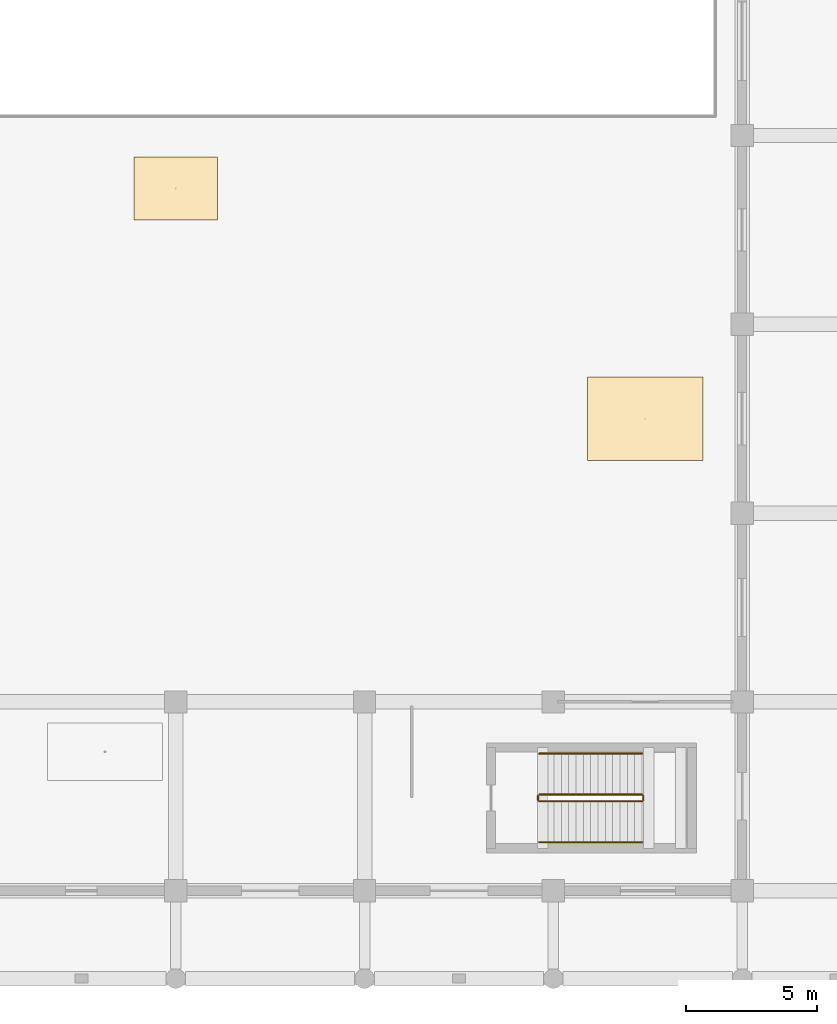
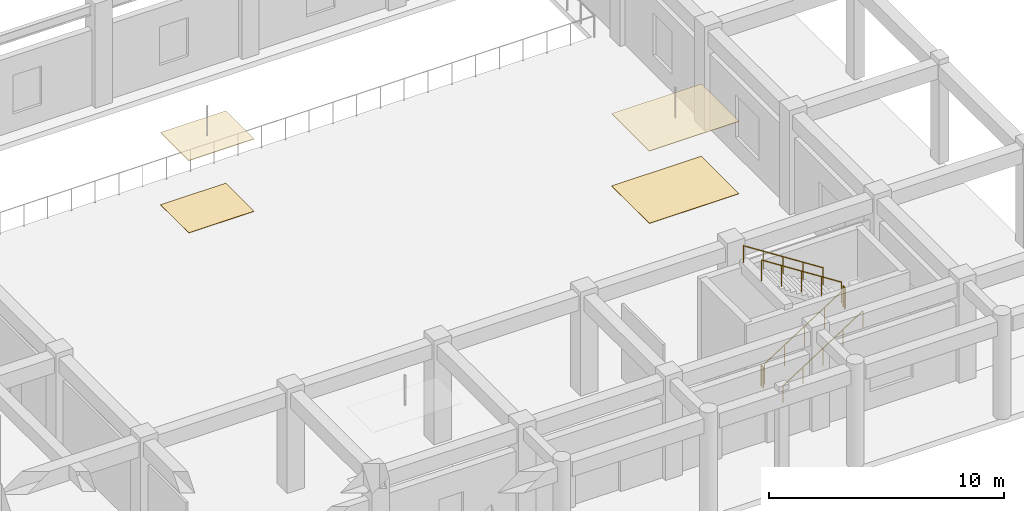
# One storey, part 55 of 56: 6 railings, 4 coverings.
"""IFC4 building model written with IfcOpenShell, lengths in metres."""

from ifc_helpers import new_model, si_unit, direction, frame, origin, origin_2d, place, context, subcontext, project, spatial, rectangle, circle, extrude, material, layer, layer_set, type_object, element, save


model = new_model("IFC4")

# Units and contexts
model_context = context("Model", 3, precision=1e-05, world=origin(), true_north=direction((0.0, 1.0)))
body_context = subcontext(model_context, "Body", "Model", "MODEL_VIEW")
ifc_project = project(units=[si_unit("LENGTHUNIT", "METRE"), si_unit("AREAUNIT", "SQUARE_METRE"), si_unit("VOLUMEUNIT", "CUBIC_METRE"), si_unit("PLANEANGLEUNIT", "RADIAN"), si_unit("MASSUNIT", "GRAM", prefix="KILO")], contexts=[model_context])

# Site, building, storey
site_placement = place(None, origin())
site = spatial("IfcSite", under=ifc_project, at=site_placement, CompositionType="ELEMENT")
building_placement = place(site_placement, origin())
building = spatial("IfcBuilding", under=site, at=building_placement, Name="Kazehaya Institute of Natural Sciences", CompositionType="ELEMENT")
storey_placement = place(building_placement, origin())
storey = spatial("IfcBuildingStorey", under=building, at=storey_placement, Name="L00", CompositionType="ELEMENT", Elevation=0.0)

# Coverings
ifc_material_1 = material(Name="Mineral-fibre acoustic ceiling tile")
ifc_layer_1 = layer(ifc_material_1, 0.02490234375, Name="Mineral-fibre acoustic ceiling tile")
ifc_layer_set_1 = layer_set([ifc_layer_1], Name="Mineral-fibre acoustic ceiling tile")
covering_type_1 = type_object("IfcCoveringType", Name="COV-CEIL-AC", PredefinedType="CEILING", material=ifc_layer_set_1)
covering_1_placement = place(storey_placement, frame((141.0, 33.574462890625, 3.74755859375), z_axis=(0.0, 0.0, 1.0), x_axis=(1.0, 0.0, 0.0)))
element("IfcCovering", 1, at=covering_1_placement, inside=storey, type_object=covering_type_1, Name="L00 Lecture Theatre Auditorium ceiling 7", PredefinedType="CEILING", context=body_context, shape_type="SweptSolid", body=[
    extrude(rectangle(XDim=3.199951171875, YDim=2.39990234375, at=origin_2d()), origin(), (0.0, 0.0, 1.0), 0.02490234375),
])
covering_2_placement = place(storey_placement, frame((158.89990234375, 24.800048828125, 3.74755859375), z_axis=(0.0, 0.0, 1.0), x_axis=(1.0, 0.0, 0.0)))
element("IfcCovering", 2, at=covering_2_placement, inside=storey, type_object=covering_type_1, Name="L00 Seminar Room ceiling 9", PredefinedType="CEILING", context=body_context, shape_type="SweptSolid", body=[
    extrude(rectangle(XDim=4.39990234375, YDim=3.199951171875, at=origin_2d()), origin(), (0.0, 0.0, 1.0), 0.02490234375),
])
ifc_material_2 = material(Name="Polished Sawara stone terrazzo flooring", Category="masonry")
ifc_layer_2 = layer(ifc_material_2, 0.02001953125, Name="Polished Sawara stone terrazzo flooring", Category="masonry")
ifc_layer_set_2 = layer_set([ifc_layer_2], Name="Polished Sawara stone terrazzo flooring")
covering_type_2 = type_object("IfcCoveringType", Name="COV-FLR-TRZ", PredefinedType="FLOORING", material=ifc_layer_set_2)
covering_3_placement = place(storey_placement, frame((141.0, 33.574462890625, 0.0), z_axis=(0.0, 0.0, 1.0), x_axis=(1.0, 0.0, 0.0)))
element("IfcCovering", 3, at=covering_3_placement, inside=storey, type_object=covering_type_2, Name="L00 Lecture Theatre Auditorium finish flooring 7", PredefinedType="FLOORING", context=body_context, shape_type="SweptSolid", body=[
    extrude(rectangle(XDim=3.199951171875, YDim=2.39990234375, at=origin_2d()), origin(), (0.0, 0.0, 1.0), 0.02001953125),
])
covering_4_placement = place(storey_placement, frame((158.89990234375, 24.800048828125, 0.0), z_axis=(0.0, 0.0, 1.0), x_axis=(1.0, 0.0, 0.0)))
element("IfcCovering", 4, at=covering_4_placement, inside=storey, type_object=covering_type_2, Name="L00 Seminar Room finish flooring 9", PredefinedType="FLOORING", context=body_context, shape_type="SweptSolid", body=[
    extrude(rectangle(XDim=4.39990234375, YDim=3.199951171875, at=origin_2d()), origin(), (0.0, 0.0, 1.0), 0.02001953125),
])

# Railings
ifc_material_3 = material(Name="Structural steel SN490B", Category="steel")
railing_type_1 = type_object("IfcRailingType", Name="RL-STAIR-GRD", PredefinedType="GUARDRAIL", material=ifc_material_3)
railing_1_placement = place(storey_placement, frame((154.860107421875, 10.2099609375, 0.179931640625)))
element("IfcRailing", 5, at=railing_1_placement, inside=storey, type_object=railing_type_1, Name="L00 ST-5 stair guard 1", PredefinedType="GUARDRAIL", context=body_context, shape_type="SweptSolid", body=[
    extrude(circle(Radius=0.02392578125, at=origin_2d()), frame((0.0, 0.0, 1.076171875), z_axis=(0.841171666519, 0.0, 0.540768182723), x_axis=(0.0, 1.0, 0.0)), (0.0, 0.0, 1.0), 4.66015625),
    extrude(circle(Radius=0.02099609375, at=origin_2d()), origin(), (0.0, 0.0, 1.0), 1.052001953125),
    extrude(circle(Radius=0.02099609375, at=origin_2d()), frame((0.97998046875, 0.0, 0.6298828125)), (0.0, 0.0, 1.0), 1.052001953125),
    extrude(circle(Radius=0.02099609375, at=origin_2d()), frame((1.9599609375, 0.0, 1.260009765625)), (0.0, 0.0, 1.0), 1.052001953125),
    extrude(circle(Radius=0.02099609375, at=origin_2d()), frame((2.93994140625, 0.0, 1.89013671875)), (0.0, 0.0, 1.0), 1.052001953125),
    extrude(circle(Radius=0.02099609375, at=origin_2d()), frame((3.919921875, 0.0, 2.52001953125)), (0.0, 0.0, 1.0), 1.052001953125),
])
railing_2_placement = place(storey_placement, frame((158.830078125, 10.260009765625, 2.699951171875)))
element("IfcRailing", 6, at=railing_2_placement, inside=storey, type_object=railing_type_1, Name="L00 ST-5 stair guard 2", PredefinedType="GUARDRAIL", context=body_context, shape_type="SweptSolid", body=[
    extrude(circle(Radius=0.02392578125, at=origin_2d()), frame((0.0, 0.0, 1.076171875), z_axis=(0.0, 1.0, 0.0), x_axis=(-1.0, 0.0, 0.0)), (0.0, 0.0, 1.0), 0.159912109375),
    extrude(circle(Radius=0.02099609375, at=origin_2d()), origin(), (0.0, 0.0, 1.0), 1.052001953125),
    extrude(circle(Radius=0.02099609375, at=origin_2d()), frame((0.0, 0.159912109375, 0.0)), (0.0, 0.0, 1.0), 1.052001953125),
])
railing_3_placement = place(storey_placement, frame((158.780029296875, 10.469970703125, 2.8798828125)))
element("IfcRailing", 7, at=railing_3_placement, inside=storey, type_object=railing_type_1, Name="L00 ST-5 stair guard 3", PredefinedType="GUARDRAIL", context=body_context, shape_type="SweptSolid", body=[
    extrude(circle(Radius=0.02392578125, at=origin_2d()), frame((0.0, 0.0, 1.076171875), z_axis=(-0.841171666519, 0.0, 0.540768182723), x_axis=(0.0, -1.0, 0.0)), (0.0, 0.0, 1.0), 4.66015625),
    extrude(circle(Radius=0.02099609375, at=origin_2d()), origin(), (0.0, 0.0, 1.0), 1.052001953125),
    extrude(circle(Radius=0.02099609375, at=origin_2d()), frame((-0.97998046875, 0.0, 0.6298828125)), (0.0, 0.0, 1.0), 1.052001953125),
    extrude(circle(Radius=0.02099609375, at=origin_2d()), frame((-1.9599609375, 0.0, 1.260009765625)), (0.0, 0.0, 1.0), 1.052001953125),
    extrude(circle(Radius=0.02099609375, at=origin_2d()), frame((-2.93994140625, 0.0, 1.89013671875)), (0.0, 0.0, 1.0), 1.052001953125),
    extrude(circle(Radius=0.02099609375, at=origin_2d()), frame((-3.919921875, 0.0, 2.52001953125)), (0.0, 0.0, 1.0), 1.052001953125),
])
railing_4_placement = place(storey_placement, frame((154.81005859375, 10.260009765625, 0.0)))
element("IfcRailing", 8, at=railing_4_placement, inside=storey, type_object=railing_type_1, Name="L00 ST-5 stair guard 4", PredefinedType="GUARDRAIL", context=body_context, shape_type="SweptSolid", body=[
    extrude(circle(Radius=0.02392578125, at=origin_2d()), frame((0.0, 0.0, 1.076171875), z_axis=(0.0, 1.0, 0.0), x_axis=(-1.0, 0.0, 0.0)), (0.0, 0.0, 1.0), 0.159912109375),
    extrude(circle(Radius=0.02099609375, at=origin_2d()), origin(), (0.0, 0.0, 1.0), 1.052001953125),
    extrude(circle(Radius=0.02099609375, at=origin_2d()), frame((0.0, 0.159912109375, 0.0)), (0.0, 0.0, 1.0), 1.052001953125),
])
ifc_material_4 = material(Name="Brushed stainless steel handrail", Category="steel")
railing_type_2 = type_object("IfcRailingType", Name="RL-STAIR-HND", PredefinedType="HANDRAIL", material=ifc_material_4)
railing_5_placement = place(storey_placement, frame((154.860107421875, 8.64990234375, 0.179931640625)))
element("IfcRailing", 9, at=railing_5_placement, inside=storey, type_object=railing_type_2, Name="L00 ST-5 stair handrail 1", PredefinedType="HANDRAIL", context=body_context, shape_type="SweptSolid", body=[
    extrude(circle(Radius=0.02392578125, at=origin_2d()), frame((0.0, 0.0, 0.8759765625), z_axis=(0.841171666519, 0.0, 0.540768182723), x_axis=(0.0, 1.0, 0.0)), (0.0, 0.0, 1.0), 4.66015625),
    extrude(circle(Radius=0.02099609375, at=origin_2d()), origin(), (0.0, 0.0, 1.0), 0.851806640625),
    extrude(circle(Radius=0.02099609375, at=origin_2d()), frame((0.97998046875, 0.0, 0.6298828125)), (0.0, 0.0, 1.0), 0.851806640625),
    extrude(circle(Radius=0.02099609375, at=origin_2d()), frame((1.9599609375, 0.0, 1.260009765625)), (0.0, 0.0, 1.0), 0.851806640625),
    extrude(circle(Radius=0.02099609375, at=origin_2d()), frame((2.93994140625, 0.0, 1.89013671875)), (0.0, 0.0, 1.0), 0.851806640625),
    extrude(circle(Radius=0.02099609375, at=origin_2d()), frame((3.919921875, 0.0, 2.52001953125)), (0.0, 0.0, 1.0), 0.851806640625),
])
railing_6_placement = place(storey_placement, frame((158.780029296875, 12.030029296875, 2.8798828125)))
element("IfcRailing", 10, at=railing_6_placement, inside=storey, type_object=railing_type_2, Name="L00 ST-5 stair handrail 2", PredefinedType="HANDRAIL", context=body_context, shape_type="SweptSolid", body=[
    extrude(circle(Radius=0.02392578125, at=origin_2d()), frame((0.0, 0.0, 0.8759765625), z_axis=(-0.841171666519, 0.0, 0.540768182723), x_axis=(0.0, -1.0, 0.0)), (0.0, 0.0, 1.0), 4.66015625),
    extrude(circle(Radius=0.02099609375, at=origin_2d()), origin(), (0.0, 0.0, 1.0), 0.851806640625),
    extrude(circle(Radius=0.02099609375, at=origin_2d()), frame((-0.97998046875, 0.0, 0.6298828125)), (0.0, 0.0, 1.0), 0.851806640625),
    extrude(circle(Radius=0.02099609375, at=origin_2d()), frame((-1.9599609375, 0.0, 1.260009765625)), (0.0, 0.0, 1.0), 0.851806640625),
    extrude(circle(Radius=0.02099609375, at=origin_2d()), frame((-2.93994140625, 0.0, 1.89013671875)), (0.0, 0.0, 1.0), 0.851806640625),
    extrude(circle(Radius=0.02099609375, at=origin_2d()), frame((-3.919921875, 0.0, 2.52001953125)), (0.0, 0.0, 1.0), 0.851806640625),
])

save(model, "model.ifc")
